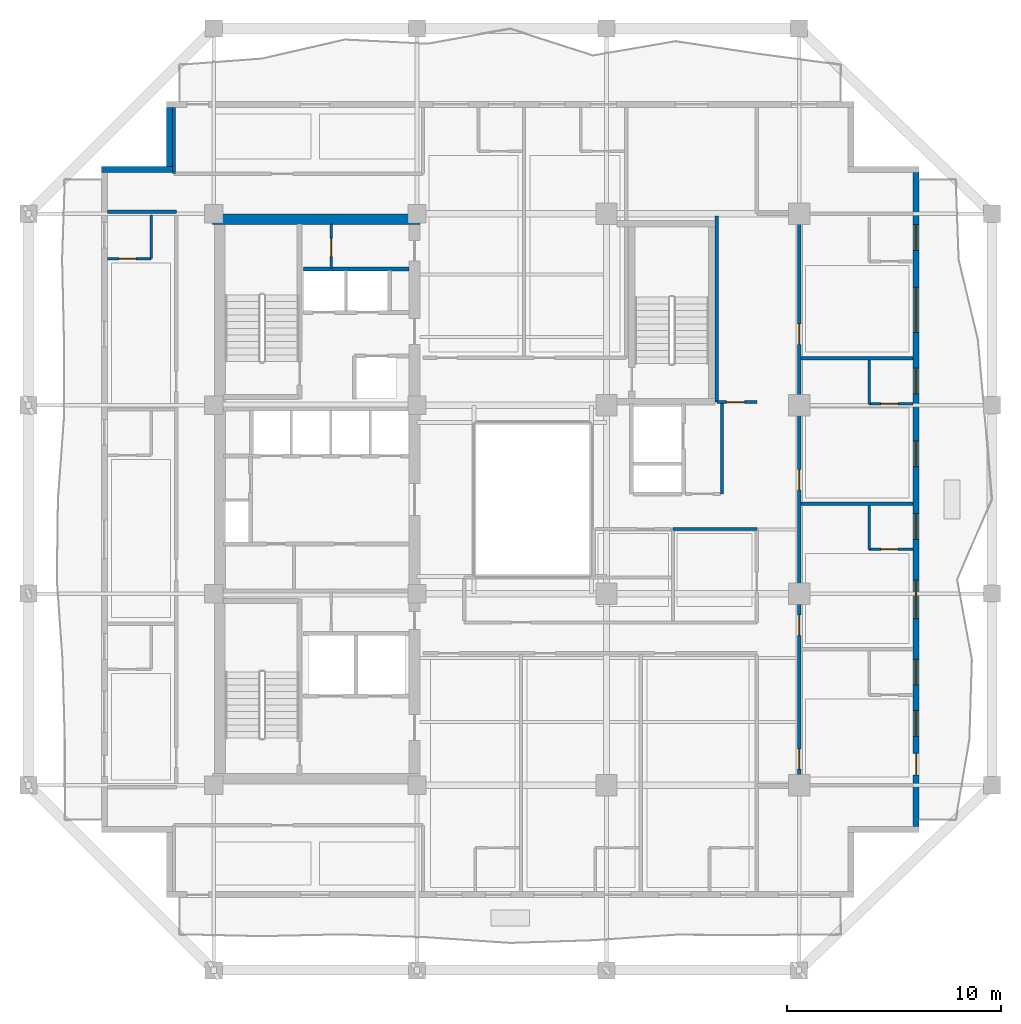
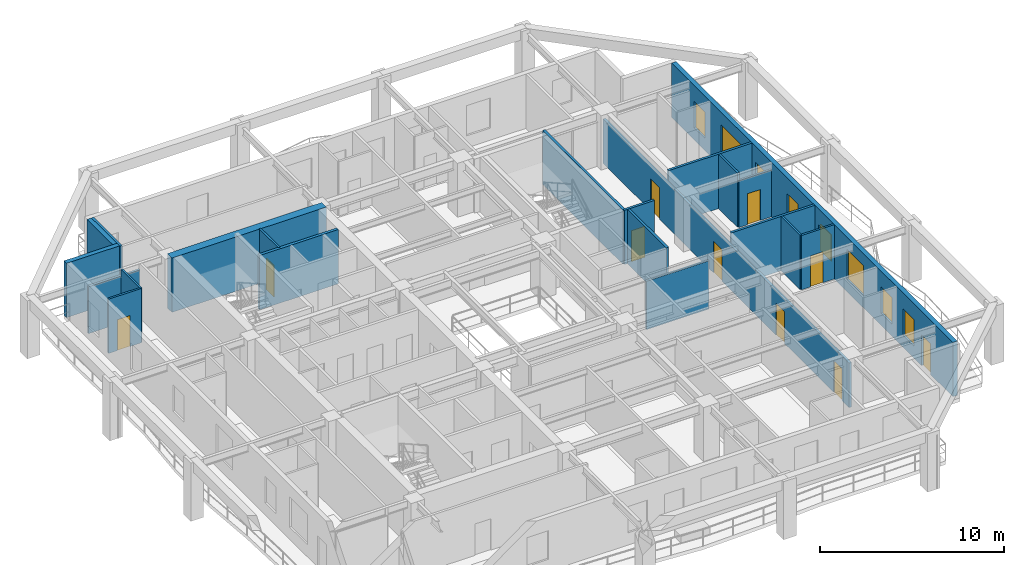
# One storey, part 6 of 12: 21 walls, 10 doors, 8 windows, 18 openings.
"""IFC4 building model written with IfcOpenShell, lengths in metres."""

from ifc_helpers import new_model, si_unit, direction, frame, frame_2d, origin, place, context, subcontext, project, spatial, rectangle, extrude, material, layer, layer_set, type_object, element, fill, save


model = new_model("IFC4")

# Units and contexts
model_context = context("Model", 3, precision=1e-05, world=origin(), true_north=direction((0.0, 1.0)))
body_context = subcontext(model_context, "Body", "Model", "MODEL_VIEW")
ifc_project = project(units=[si_unit("LENGTHUNIT", "METRE"), si_unit("AREAUNIT", "SQUARE_METRE"), si_unit("VOLUMEUNIT", "CUBIC_METRE"), si_unit("PLANEANGLEUNIT", "RADIAN"), si_unit("MASSUNIT", "GRAM", prefix="KILO")], contexts=[model_context])

# Site, building, storey
site_placement = place(None, origin())
site = spatial("IfcSite", under=ifc_project, at=site_placement, CompositionType="ELEMENT")
building_placement = place(site_placement, origin())
building = spatial("IfcBuilding", under=site, at=building_placement, Name="Kundavana Baori Tower", CompositionType="ELEMENT")
storey_placement = place(building_placement, frame((0.0, 0.0, 134.800048828125)))
storey = spatial("IfcBuildingStorey", under=building, at=storey_placement, Name="L32", CompositionType="ELEMENT", Elevation=134.800048828125)

# Wall
ifc_material_1 = material(Name="Concrete C50/60", Category="concrete")
ifc_layer_1 = layer(ifc_material_1, 0.5, Name="WL-CORE-500")
ifc_layer_set_1 = layer_set([ifc_layer_1], Name="Concrete C50/60")
wall_type_1 = type_object("IfcWallType", Name="WL-CORE-500", PredefinedType="SHEAR", material=ifc_layer_set_1)
wall_1_placement = place(storey_placement, frame((15.39990234375, 41.68994140625, 0.0), z_axis=(0.0, 0.0, 1.0), x_axis=(1.0, 0.0, 0.0)))
element("IfcWall", 1, at=wall_1_placement, inside=storey, type_object=wall_type_1, Name="L32 Offset Core North Shear Wall", PredefinedType="SHEAR", context=body_context, shape_type="SweptSolid", body=[
    extrude(rectangle(XDim=9.68017578125, YDim=0.5, at=frame_2d((4.840087890625, 0.0))), origin(), (0.0, 0.0, 1.0), 3.599853515625),
])

# Wall, openings, door, windows
ifc_material_2 = material(Name="Red-Buff Dholpur Sandstone Cladding on Concrete C40/50", Category="masonry")
ifc_layer_2 = layer(ifc_material_2, 0.280029296875, Name="WL-EXT-SAND-280")
ifc_layer_set_2 = layer_set([ifc_layer_2], Name="Red-Buff Dholpur Sandstone Cladding on Concrete C40/50")
wall_type_2 = type_object("IfcWallType", Name="WL-EXT-SAND-280", PredefinedType="STANDARD", material=ifc_layer_set_2)
wall_2_placement = place(storey_placement, frame((48.260009765625, 13.330078125, 0.0), z_axis=(0.0, 0.0, 1.0), x_axis=(0.0, 1.0, 0.0)))
wall_2 = element("IfcWall", 2, at=wall_2_placement, inside=storey, type_object=wall_type_2, Name="L32 Exterior Insulated Facade Wall 04", PredefinedType="STANDARD", context=body_context, shape_type="SweptSolid", body=[
    extrude(rectangle(XDim=30.5400390625, YDim=0.280029296875, at=frame_2d((15.27001953125, 0.0))), origin(), (0.0, 0.0, 1.0), 3.599853515625),
])
opening_1_placement = place(wall_2_placement, frame((2.409912109375, 0.0, 0.0)))
opening_1 = element("IfcOpeningElement", 3, at=opening_1_placement, cuts=wall_2, Name="Opening BD-1", PredefinedType="OPENING", context=body_context, shape_type="SweptSolid", body=[
    extrude(rectangle(XDim=1.0, YDim=2.050048828125, at=frame_2d((0.5, 1.02490234375))), frame((0.0, 0.14990234375, 0.0), z_axis=(0.0, -1.0, 0.0), x_axis=(1.0, 0.0, 0.0)), (0.0, 0.0, 1.0), 0.300048828125),
])
opening_2_placement = place(wall_2_placement, frame((4.205078125, 0.0, 0.800048828125)))
opening_2 = element("IfcOpeningElement", 4, at=opening_2_placement, cuts=wall_2, Name="Opening W-03", PredefinedType="OPENING", context=body_context, shape_type="SweptSolid", body=[
    extrude(rectangle(XDim=1.199951171875, YDim=1.75, at=frame_2d((0.60009765625, 0.875))), frame((0.0, 0.14990234375, 0.0), z_axis=(0.0, -1.0, 0.0), x_axis=(1.0, 0.0, 0.0)), (0.0, 0.0, 1.0), 0.300048828125),
])
opening_3_placement = place(wall_2_placement, frame((6.60498046875, 0.0, 0.800048828125)))
opening_3 = element("IfcOpeningElement", 5, at=opening_3_placement, cuts=wall_2, Name="Opening W-03", PredefinedType="OPENING", context=body_context, shape_type="SweptSolid", body=[
    extrude(rectangle(XDim=1.199951171875, YDim=1.75, at=frame_2d((0.60009765625, 0.875))), frame((0.0, 0.14990234375, 0.0), z_axis=(0.0, -1.0, 0.0), x_axis=(1.0, 0.0, 0.0)), (0.0, 0.0, 1.0), 0.300048828125),
])
opening_4_placement = place(wall_2_placement, frame((9.705078125, 0.0, 0.800048828125)))
opening_4 = element("IfcOpeningElement", 6, at=opening_4_placement, cuts=wall_2, Name="Opening W-01", PredefinedType="OPENING", context=body_context, shape_type="SweptSolid", body=[
    extrude(rectangle(XDim=1.800048828125, YDim=2.0, at=frame_2d((0.89990234375, 1.0))), frame((0.0, 0.14990234375, 0.0), z_axis=(0.0, -1.0, 0.0), x_axis=(1.0, 0.0, 0.0)), (0.0, 0.0, 1.0), 0.300048828125),
])
opening_5_placement = place(wall_2_placement, frame((13.405029296875, 0.0, 0.800048828125)))
opening_5 = element("IfcOpeningElement", 7, at=opening_5_placement, cuts=wall_2, Name="Opening W-03", PredefinedType="OPENING", context=body_context, shape_type="SweptSolid", body=[
    extrude(rectangle(XDim=1.199951171875, YDim=1.75, at=frame_2d((0.60009765625, 0.875))), frame((0.0, 0.14990234375, 0.0), z_axis=(0.0, -1.0, 0.0), x_axis=(1.0, 0.0, 0.0)), (0.0, 0.0, 1.0), 0.300048828125),
])
opening_6_placement = place(wall_2_placement, frame((16.804931640625, 0.0, 0.800048828125)))
opening_6 = element("IfcOpeningElement", 8, at=opening_6_placement, cuts=wall_2, Name="Opening W-03", PredefinedType="OPENING", context=body_context, shape_type="SweptSolid", body=[
    extrude(rectangle(XDim=1.199951171875, YDim=1.75, at=frame_2d((0.60009765625, 0.875))), frame((0.0, 0.14990234375, 0.0), z_axis=(0.0, -1.0, 0.0), x_axis=(1.0, 0.0, 0.0)), (0.0, 0.0, 1.0), 0.300048828125),
])
opening_7_placement = place(wall_2_placement, frame((20.205078125, 0.0, 0.800048828125)))
opening_7 = element("IfcOpeningElement", 9, at=opening_7_placement, cuts=wall_2, Name="Opening W-03", PredefinedType="OPENING", context=body_context, shape_type="SweptSolid", body=[
    extrude(rectangle(XDim=1.199951171875, YDim=1.75, at=frame_2d((0.60009765625, 0.875))), frame((0.0, 0.14990234375, 0.0), z_axis=(0.0, -1.0, 0.0), x_axis=(1.0, 0.0, 0.0)), (0.0, 0.0, 1.0), 0.300048828125),
])
opening_8_placement = place(wall_2_placement, frame((23.080078125, 0.0, 0.800048828125)))
opening_8 = element("IfcOpeningElement", 10, at=opening_8_placement, cuts=wall_2, Name="Opening W-05", PredefinedType="OPENING", context=body_context, shape_type="SweptSolid", body=[
    extrude(rectangle(XDim=2.10009765625, YDim=1.949951171875, at=frame_2d((1.050048828125, 0.97509765625))), frame((0.0, 0.14990234375, 0.0), z_axis=(0.0, -1.0, 0.0), x_axis=(1.0, 0.0, 0.0)), (0.0, 0.0, 1.0), 0.300048828125),
])
opening_9_placement = place(wall_2_placement, frame((26.905029296875, 0.0, 0.800048828125)))
opening_9 = element("IfcOpeningElement", 11, at=opening_9_placement, cuts=wall_2, Name="Opening W-03", PredefinedType="OPENING", context=body_context, shape_type="SweptSolid", body=[
    extrude(rectangle(XDim=1.199951171875, YDim=1.75, at=frame_2d((0.60009765625, 0.875))), frame((0.0, 0.14990234375, 0.0), z_axis=(0.0, -1.0, 0.0), x_axis=(1.0, 0.0, 0.0)), (0.0, 0.0, 1.0), 0.300048828125),
])
ifc_material_3 = material(Name="Architectural Patinated Bronze Metalwork")
door_type_1 = type_object("IfcDoorType", Name="DR-EXT-LOG-1000", OperationType="NOTDEFINED", PredefinedType="DOOR", material=ifc_material_3)
door_1_placement = place(opening_1_placement, frame((1.0, 0.0, 0.0), z_axis=(0.0, 0.0, 1.0), x_axis=(-1.0, 0.0, 0.0)))
door_1 = element("IfcDoor", 12, at=door_1_placement, inside=storey, type_object=door_type_1, Name="L32 Loggia Balcony Access Door E", OperationType="SINGLE_SWING_RIGHT", OverallHeight=2.050048828125, OverallWidth=1.0, PredefinedType="DOOR", context=body_context, shape_type="SweptSolid", body=[
    extrude(rectangle(XDim=1.0, YDim=2.050048828125, at=frame_2d((0.5, 1.02490234375))), frame((0.0, 0.02490234375, 0.0), z_axis=(0.0, -1.0, 0.0), x_axis=(1.0, 0.0, 0.0)), (0.0, 0.0, 1.0), 0.050048828125),
])
fill(opening_1, door_1)
ifc_material_4 = material(Name="Double-Glazed Solar-Control Low-E Insulated Glass", Category="glass")
window_type_1 = type_object("IfcWindowType", Name="WIN-LOG-1200x1750", PartitioningType="SINGLE_PANEL", PredefinedType="WINDOW", material=ifc_material_4)
window_1_placement = place(opening_2_placement, origin())
window_1 = element("IfcWindow", 13, at=window_1_placement, inside=storey, type_object=window_type_1, Name="L32 Recessed Loggia Window E-1", OverallHeight=1.75, OverallWidth=1.199951171875, PartitioningType="SINGLE_PANEL", PredefinedType="WINDOW", context=body_context, shape_type="SweptSolid", body=[
    extrude(rectangle(XDim=1.199951171875, YDim=1.75, at=frame_2d((0.60009765625, 0.875))), frame((0.0, 0.030029296875, 0.0), z_axis=(0.0, -1.0, 0.0), x_axis=(1.0, 0.0, 0.0)), (0.0, 0.0, 1.0), 0.06005859375),
])
fill(opening_2, window_1)
window_2_placement = place(opening_3_placement, origin())
window_2 = element("IfcWindow", 14, at=window_2_placement, inside=storey, type_object=window_type_1, Name="L32 Recessed Loggia Window E-2", OverallHeight=1.75, OverallWidth=1.199951171875, PartitioningType="SINGLE_PANEL", PredefinedType="WINDOW", context=body_context, shape_type="SweptSolid", body=[
    extrude(rectangle(XDim=1.199951171875, YDim=1.75, at=frame_2d((0.60009765625, 0.875))), frame((0.0, 0.030029296875, 0.0), z_axis=(0.0, -1.0, 0.0), x_axis=(1.0, 0.0, 0.0)), (0.0, 0.0, 1.0), 0.06005859375),
])
fill(opening_3, window_2)
window_3_placement = place(opening_5_placement, origin())
window_3 = element("IfcWindow", 15, at=window_3_placement, inside=storey, type_object=window_type_1, Name="L32 Recessed Loggia Window E-4", OverallHeight=1.75, OverallWidth=1.199951171875, PartitioningType="SINGLE_PANEL", PredefinedType="WINDOW", context=body_context, shape_type="SweptSolid", body=[
    extrude(rectangle(XDim=1.199951171875, YDim=1.75, at=frame_2d((0.60009765625, 0.875))), frame((0.0, 0.030029296875, 0.0), z_axis=(0.0, -1.0, 0.0), x_axis=(1.0, 0.0, 0.0)), (0.0, 0.0, 1.0), 0.06005859375),
])
fill(opening_5, window_3)
window_4_placement = place(opening_6_placement, origin())
window_4 = element("IfcWindow", 16, at=window_4_placement, inside=storey, type_object=window_type_1, Name="L32 Recessed Loggia Window E-5", OverallHeight=1.75, OverallWidth=1.199951171875, PartitioningType="SINGLE_PANEL", PredefinedType="WINDOW", context=body_context, shape_type="SweptSolid", body=[
    extrude(rectangle(XDim=1.199951171875, YDim=1.75, at=frame_2d((0.60009765625, 0.875))), frame((0.0, 0.030029296875, 0.0), z_axis=(0.0, -1.0, 0.0), x_axis=(1.0, 0.0, 0.0)), (0.0, 0.0, 1.0), 0.06005859375),
])
fill(opening_6, window_4)
window_5_placement = place(opening_7_placement, origin())
window_5 = element("IfcWindow", 17, at=window_5_placement, inside=storey, type_object=window_type_1, Name="L32 Recessed Loggia Window E-6", OverallHeight=1.75, OverallWidth=1.199951171875, PartitioningType="SINGLE_PANEL", PredefinedType="WINDOW", context=body_context, shape_type="SweptSolid", body=[
    extrude(rectangle(XDim=1.199951171875, YDim=1.75, at=frame_2d((0.60009765625, 0.875))), frame((0.0, 0.030029296875, 0.0), z_axis=(0.0, -1.0, 0.0), x_axis=(1.0, 0.0, 0.0)), (0.0, 0.0, 1.0), 0.06005859375),
])
fill(opening_7, window_5)
window_6_placement = place(opening_9_placement, origin())
window_6 = element("IfcWindow", 18, at=window_6_placement, inside=storey, type_object=window_type_1, Name="L32 Recessed Loggia Window E-8", OverallHeight=1.75, OverallWidth=1.199951171875, PartitioningType="SINGLE_PANEL", PredefinedType="WINDOW", context=body_context, shape_type="SweptSolid", body=[
    extrude(rectangle(XDim=1.199951171875, YDim=1.75, at=frame_2d((0.60009765625, 0.875))), frame((0.0, 0.030029296875, 0.0), z_axis=(0.0, -1.0, 0.0), x_axis=(1.0, 0.0, 0.0)), (0.0, 0.0, 1.0), 0.06005859375),
])
fill(opening_9, window_6)
ifc_material_5 = material(Name="Double-Glazed Solar-Control Low-E Insulated Glass", Category="glass")
window_type_2 = type_object("IfcWindowType", Name="WIN-LOG-1800x2000", PartitioningType="SINGLE_PANEL", PredefinedType="WINDOW", material=ifc_material_5)
window_7_placement = place(opening_4_placement, origin())
window_7 = element("IfcWindow", 19, at=window_7_placement, inside=storey, type_object=window_type_2, Name="L32 Recessed Loggia Window E-3", OverallHeight=2.0, OverallWidth=1.800048828125, PartitioningType="SINGLE_PANEL", PredefinedType="WINDOW", context=body_context, shape_type="SweptSolid", body=[
    extrude(rectangle(XDim=1.800048828125, YDim=2.0, at=frame_2d((0.89990234375, 1.0))), frame((0.0, 0.030029296875, 0.0), z_axis=(0.0, -1.0, 0.0), x_axis=(1.0, 0.0, 0.0)), (0.0, 0.0, 1.0), 0.06005859375),
])
fill(opening_4, window_7)
ifc_material_6 = material(Name="Double-Glazed Solar-Control Low-E Insulated Glass", Category="glass")
window_type_3 = type_object("IfcWindowType", Name="WIN-LOG-2100x1950", PartitioningType="SINGLE_PANEL", PredefinedType="WINDOW", material=ifc_material_6)
window_8_placement = place(opening_8_placement, origin())
window_8 = element("IfcWindow", 20, at=window_8_placement, inside=storey, type_object=window_type_3, Name="L32 Recessed Loggia Window E-7", OverallHeight=1.949951171875, OverallWidth=2.10009765625, PartitioningType="SINGLE_PANEL", PredefinedType="WINDOW", context=body_context, shape_type="SweptSolid", body=[
    extrude(rectangle(XDim=2.10009765625, YDim=1.949951171875, at=frame_2d((1.050048828125, 0.97509765625))), frame((0.0, 0.030029296875, 0.0), z_axis=(0.0, -1.0, 0.0), x_axis=(1.0, 0.0, 0.0)), (0.0, 0.0, 1.0), 0.06005859375),
])
fill(opening_8, window_8)

# Walls
wall_3_placement = place(storey_placement, frame((13.389892578125, 46.919921875, 0.0), z_axis=(0.0, 0.0, 1.0), x_axis=(0.0, -1.0, 0.0)))
element("IfcWall", 21, at=wall_3_placement, inside=storey, type_object=wall_type_2, Name="L32 Exterior Insulated Facade Wall 08", PredefinedType="STANDARD", context=body_context, shape_type="SweptSolid", body=[
    extrude(rectangle(XDim=2.77001953125, YDim=0.280029296875, at=frame_2d((1.385009765625, 0.0))), origin(), (0.0, 0.0, 1.0), 3.599853515625),
])
wall_4_placement = place(storey_placement, frame((13.530029296875, 44.010009765625, 0.0), z_axis=(0.0, 0.0, 1.0), x_axis=(-1.0, 0.0, 0.0)))
element("IfcWall", 22, at=wall_4_placement, inside=storey, type_object=wall_type_2, Name="L32 Exterior Insulated Facade Wall 09", PredefinedType="STANDARD", context=body_context, shape_type="SweptSolid", body=[
    extrude(rectangle(XDim=3.330078125, YDim=0.280029296875, at=frame_2d((1.6650390625, 0.0))), origin(), (0.0, 0.0, 1.0), 3.599853515625),
])

# Wall, opening, door
ifc_material_7 = material(Name="Acoustic Gypsum Plasterboard on Galvanised Steel Studs", Category="steel")
ifc_layer_3 = layer(ifc_material_7, 0.1201171875, Name="WL-PART-120")
ifc_layer_set_3 = layer_set([ifc_layer_3], Name="Acoustic Gypsum Plasterboard on Galvanised Steel Studs")
wall_type_3 = type_object("IfcWallType", Name="WL-PART-120", PredefinedType="PARTITIONING", material=ifc_layer_set_3)
wall_5_placement = place(storey_placement, frame((20.949951171875, 39.39990234375, 0.0), z_axis=(0.0, 0.0, 1.0), x_axis=(0.0, 1.0, 0.0)))
wall_5 = element("IfcWall", 23, at=wall_5_placement, inside=storey, type_object=wall_type_3, Name="WL-L32-CSRV-D2", PredefinedType="PARTITIONING", context=body_context, shape_type="SweptSolid", body=[
    extrude(rectangle(XDim=2.080078125, YDim=0.1201171875, at=frame_2d((1.0400390625, 0.0))), origin(), (0.0, 0.0, 1.0), 3.599853515625),
])
opening_10_placement = place(wall_5_placement, frame((0.550048828125, 0.0, 0.0)))
opening_10 = element("IfcOpeningElement", 24, at=opening_10_placement, cuts=wall_5, Name="Opening FD-085", PredefinedType="OPENING", context=body_context, shape_type="SweptSolid", body=[
    extrude(rectangle(XDim=0.85009765625, YDim=2.06005859375, at=frame_2d((0.425048828125, 1.030029296875))), frame((0.0, 0.070068359375, 0.0), z_axis=(0.0, -1.0, 0.0), x_axis=(1.0, 0.0, 0.0)), (0.0, 0.0, 1.0), 0.14013671875),
])
ifc_material_8 = material(Name="Galvanised Steel Fire-Rated Door Leaf", Category="steel")
door_type_2 = type_object("IfcDoorType", Name="DR-FD60-850", OperationType="NOTDEFINED", PredefinedType="DOOR", material=ifc_material_8)
door_2_placement = place(opening_10_placement, origin())
door_2 = element("IfcDoor", 25, at=door_2_placement, inside=storey, type_object=door_type_2, Name="DR-L32-CSRV1", OperationType="SINGLE_SWING_RIGHT", OverallHeight=2.06005859375, OverallWidth=0.85009765625, PredefinedType="DOOR", context=body_context, shape_type="SweptSolid", body=[
    extrude(rectangle(XDim=0.85009765625, YDim=2.06005859375, at=frame_2d((0.425048828125, 1.030029296875))), frame((0.0, 0.02490234375, 0.0), z_axis=(0.0, -1.0, 0.0), x_axis=(1.0, 0.0, 0.0)), (0.0, 0.0, 1.0), 0.050048828125),
])
fill(opening_10, door_2)

# Wall
ifc_material_9 = material(Name="Fire-Rated Gypsum Drywall on Galvanised Steel Studs", Category="steel")
ifc_layer_4 = layer(ifc_material_9, 0.14990234375, Name="WL-PART-150")
ifc_layer_set_4 = layer_set([ifc_layer_4], Name="Fire-Rated Gypsum Drywall on Galvanised Steel Studs")
wall_type_4 = type_object("IfcWallType", Name="WL-PART-150", PredefinedType="PARTITIONING", material=ifc_layer_set_4)
wall_6_placement = place(storey_placement, frame((39.199951171875, 28.860107421875, 0.0), z_axis=(0.0, 0.0, 1.0), x_axis=(0.0, 1.0, 0.0)))
element("IfcWall", 26, at=wall_6_placement, inside=storey, type_object=wall_type_4, Name="WL-L32-SVLOB-E", PredefinedType="PARTITIONING", context=body_context, shape_type="SweptSolid", body=[
    extrude(rectangle(XDim=4.219970703125, YDim=0.14990234375, at=frame_2d((2.10986328125, 0.0))), origin(), (0.0, 0.0, 1.0), 3.599853515625),
])

# Wall, openings, doors
wall_7_placement = place(storey_placement, frame((42.800048828125, 15.25, 0.0), z_axis=(0.0, 0.0, 1.0), x_axis=(0.0, 1.0, 0.0)))
wall_7 = element("IfcWall", 27, at=wall_7_placement, inside=storey, type_object=wall_type_4, Name="WL-L32-HE", PredefinedType="PARTITIONING", context=body_context, shape_type="SweptSolid", body=[
    extrude(rectangle(XDim=26.699951171875, YDim=0.14990234375, at=frame_2d((13.35009765625, 0.0))), origin(), (0.0, 0.0, 1.0), 2.949951171875),
])
opening_11_placement = place(wall_7_placement, frame((0.75, 0.0, 0.0)))
opening_11 = element("IfcOpeningElement", 28, at=opening_11_placement, cuts=wall_7, Name="Opening FD-095", PredefinedType="OPENING", context=body_context, shape_type="SweptSolid", body=[
    extrude(rectangle(XDim=0.949951171875, YDim=2.10009765625, at=frame_2d((0.47509765625, 1.050048828125))), frame((0.0, 0.0849609375, 0.0), z_axis=(0.0, -1.0, 0.0), x_axis=(1.0, 0.0, 0.0)), (0.0, 0.0, 1.0), 0.169921875),
])
opening_12_placement = place(wall_7_placement, frame((7.0, 0.0, 0.0)))
opening_12 = element("IfcOpeningElement", 29, at=opening_12_placement, cuts=wall_7, Name="Opening FD-095", PredefinedType="OPENING", context=body_context, shape_type="SweptSolid", body=[
    extrude(rectangle(XDim=0.949951171875, YDim=2.10009765625, at=frame_2d((0.47509765625, 1.050048828125))), frame((0.0, 0.0849609375, 0.0), z_axis=(0.0, -1.0, 0.0), x_axis=(1.0, 0.0, 0.0)), (0.0, 0.0, 1.0), 0.169921875),
])
opening_13_placement = place(wall_7_placement, frame((13.800048828125, 0.0, 0.0)))
opening_13 = element("IfcOpeningElement", 30, at=opening_13_placement, cuts=wall_7, Name="Opening FD-095", PredefinedType="OPENING", context=body_context, shape_type="SweptSolid", body=[
    extrude(rectangle(XDim=0.949951171875, YDim=2.10009765625, at=frame_2d((0.47509765625, 1.050048828125))), frame((0.0, 0.0849609375, 0.0), z_axis=(0.0, -1.0, 0.0), x_axis=(1.0, 0.0, 0.0)), (0.0, 0.0, 1.0), 0.169921875),
])
opening_14_placement = place(wall_7_placement, frame((20.60009765625, 0.0, 0.0)))
opening_14 = element("IfcOpeningElement", 31, at=opening_14_placement, cuts=wall_7, Name="Opening FD-095", PredefinedType="OPENING", context=body_context, shape_type="SweptSolid", body=[
    extrude(rectangle(XDim=0.949951171875, YDim=2.10009765625, at=frame_2d((0.47509765625, 1.050048828125))), frame((0.0, 0.0849609375, 0.0), z_axis=(0.0, -1.0, 0.0), x_axis=(1.0, 0.0, 0.0)), (0.0, 0.0, 1.0), 0.169921875),
])
ifc_material_10 = material(Name="Engineered Teak Fire-Rated Timber Door Leaf", Category="wood")
door_type_3 = type_object("IfcDoorType", Name="DR-FD60-950", OperationType="NOTDEFINED", PredefinedType="DOOR", material=ifc_material_10)
door_3_placement = place(opening_11_placement, origin())
door_3 = element("IfcDoor", 32, at=door_3_placement, inside=storey, type_object=door_type_3, Name="DR-L32-HK-E1-ENT", OperationType="SINGLE_SWING_LEFT", OverallHeight=2.10009765625, OverallWidth=0.949951171875, PredefinedType="DOOR", context=body_context, shape_type="SweptSolid", body=[
    extrude(rectangle(XDim=0.949951171875, YDim=2.10009765625, at=frame_2d((0.47509765625, 1.050048828125))), frame((0.0, 0.02490234375, 0.0), z_axis=(0.0, -1.0, 0.0), x_axis=(1.0, 0.0, 0.0)), (0.0, 0.0, 1.0), 0.050048828125),
])
fill(opening_11, door_3)
door_4_placement = place(opening_12_placement, origin())
door_4 = element("IfcDoor", 33, at=door_4_placement, inside=storey, type_object=door_type_3, Name="DR-L32-HK-E2-ENT", OperationType="SINGLE_SWING_LEFT", OverallHeight=2.10009765625, OverallWidth=0.949951171875, PredefinedType="DOOR", context=body_context, shape_type="SweptSolid", body=[
    extrude(rectangle(XDim=0.949951171875, YDim=2.10009765625, at=frame_2d((0.47509765625, 1.050048828125))), frame((0.0, 0.02490234375, 0.0), z_axis=(0.0, -1.0, 0.0), x_axis=(1.0, 0.0, 0.0)), (0.0, 0.0, 1.0), 0.050048828125),
])
fill(opening_12, door_4)
door_5_placement = place(opening_13_placement, origin())
door_5 = element("IfcDoor", 34, at=door_5_placement, inside=storey, type_object=door_type_3, Name="DR-L32-HK-E3-ENT", OperationType="SINGLE_SWING_LEFT", OverallHeight=2.10009765625, OverallWidth=0.949951171875, PredefinedType="DOOR", context=body_context, shape_type="SweptSolid", body=[
    extrude(rectangle(XDim=0.949951171875, YDim=2.10009765625, at=frame_2d((0.47509765625, 1.050048828125))), frame((0.0, 0.02490234375, 0.0), z_axis=(0.0, -1.0, 0.0), x_axis=(1.0, 0.0, 0.0)), (0.0, 0.0, 1.0), 0.050048828125),
])
fill(opening_13, door_5)
door_6_placement = place(opening_14_placement, origin())
door_6 = element("IfcDoor", 35, at=door_6_placement, inside=storey, type_object=door_type_3, Name="DR-L32-HK-E4-ENT", OperationType="SINGLE_SWING_LEFT", OverallHeight=2.10009765625, OverallWidth=0.949951171875, PredefinedType="DOOR", context=body_context, shape_type="SweptSolid", body=[
    extrude(rectangle(XDim=0.949951171875, YDim=2.10009765625, at=frame_2d((0.47509765625, 1.050048828125))), frame((0.0, 0.02490234375, 0.0), z_axis=(0.0, -1.0, 0.0), x_axis=(1.0, 0.0, 0.0)), (0.0, 0.0, 1.0), 0.050048828125),
])
fill(opening_14, door_6)

# Walls
wall_8_placement = place(storey_placement, frame((10.47998046875, 42.0400390625, 0.0), z_axis=(0.0, 0.0, 1.0), x_axis=(1.0, 0.0, 0.0)))
element("IfcWall", 36, at=wall_8_placement, inside=storey, type_object=wall_type_4, Name="WL-L32-HWN", PredefinedType="PARTITIONING", context=body_context, shape_type="SweptSolid", body=[
    extrude(rectangle(XDim=3.219970703125, YDim=0.14990234375, at=frame_2d((1.60986328125, 0.0))), origin(), (0.0, 0.0, 1.0), 3.099853515625),
])
wall_9_placement = place(storey_placement, frame((13.590087890625, 43.820068359375, 0.0), z_axis=(0.0, 0.0, 1.0), x_axis=(0.0, 1.0, 0.0)))
element("IfcWall", 37, at=wall_9_placement, inside=storey, type_object=wall_type_4, Name="WL-L32-HNCW", PredefinedType="PARTITIONING", context=body_context, shape_type="SweptSolid", body=[
    extrude(rectangle(XDim=3.099853515625, YDim=0.14990234375, at=frame_2d((1.5498046875, 0.0))), origin(), (0.0, 0.0, 1.0), 3.599853515625),
])
wall_10_placement = place(storey_placement, frame((36.89990234375, 27.219970703125, 0.0), z_axis=(0.0, 0.0, 1.0), x_axis=(1.0, 0.0, 0.0)))
element("IfcWall", 38, at=wall_10_placement, inside=storey, type_object=wall_type_4, Name="WL-L32-HKN", PredefinedType="PARTITIONING", context=body_context, shape_type="SweptSolid", body=[
    extrude(rectangle(XDim=3.920166015625, YDim=0.14990234375, at=frame_2d((1.9599609375, 0.0))), origin(), (0.0, 0.0, 1.0), 3.199951171875),
])
for number, where, z_axis, x_axis, name in (
    (39, (42.8798828125, 28.39990234375, 0.0), (0.0, 0.0, 1.0), (1.0, 0.0, 0.0), "WL-L32-HED2"),
    (40, (42.8798828125, 35.199951171875, 0.0), (0.0, 0.0, 1.0), (1.0, 0.0, 0.0), "WL-L32-HED3"),
):
    element("IfcWall", number, at=place(storey_placement, frame(where, z_axis=z_axis, x_axis=x_axis)), inside=storey, type_object=wall_type_4, Name=name, PredefinedType="PARTITIONING", context=body_context, shape_type="SweptSolid", body=[
        extrude(rectangle(XDim=5.240234375, YDim=0.14990234375, at=frame_2d((2.6201171875, 0.0))), origin(), (0.0, 0.0, 1.0), 3.599853515625),
    ])

# Wall, opening, door
wall_11_placement = place(storey_placement, frame((38.949951171875, 33.14990234375, 0.0), z_axis=(0.0, 0.0, 1.0), x_axis=(1.0, 0.0, 0.0)))
wall_11 = element("IfcWall", 41, at=wall_11_placement, inside=storey, type_object=wall_type_4, Name="WL-L32-HNES", PredefinedType="PARTITIONING", context=body_context, shape_type="SweptSolid", body=[
    extrude(rectangle(XDim=1.8701171875, YDim=0.14990234375, at=frame_2d((0.93505859375, 0.0))), origin(), (0.0, 0.0, 1.0), 3.599853515625),
])
opening_15_placement = place(wall_11_placement, frame((0.449951171875, 0.0, 0.0)))
opening_15 = element("IfcOpeningElement", 42, at=opening_15_placement, cuts=wall_11, Name="Opening WD-085", PredefinedType="OPENING", context=body_context, shape_type="SweptSolid", body=[
    extrude(rectangle(XDim=0.85009765625, YDim=2.050048828125, at=frame_2d((0.425048828125, 1.02490234375))), frame((0.0, 0.0849609375, 0.0), z_axis=(0.0, -1.0, 0.0), x_axis=(1.0, 0.0, 0.0)), (0.0, 0.0, 1.0), 0.169921875),
])
ifc_material_11 = material(Name="Engineered Teak Solid-Core Timber Veneer", Category="wood")
door_type_4 = type_object("IfcDoorType", Name="DR-WET-850", OperationType="NOTDEFINED", PredefinedType="DOOR", material=ifc_material_11)
door_7_placement = place(opening_15_placement, origin())
door_7 = element("IfcDoor", 43, at=door_7_placement, inside=storey, type_object=door_type_4, Name="DR-L32-HLNE", OperationType="SINGLE_SWING_LEFT", OverallHeight=2.050048828125, OverallWidth=0.85009765625, PredefinedType="DOOR", context=body_context, shape_type="SweptSolid", body=[
    extrude(rectangle(XDim=0.85009765625, YDim=2.050048828125, at=frame_2d((0.425048828125, 1.02490234375))), frame((0.0, 0.02490234375, 0.0), z_axis=(0.0, -1.0, 0.0), x_axis=(1.0, 0.0, 0.0)), (0.0, 0.0, 1.0), 0.050048828125),
])
fill(opening_15, door_7)

# Walls
wall_12_placement = place(storey_placement, frame((38.949951171875, 33.14990234375, 0.0), z_axis=(0.0, 0.0, 1.0), x_axis=(0.0, 1.0, 0.0)))
element("IfcWall", 44, at=wall_12_placement, inside=storey, type_object=wall_type_4, Name="WL-L32-HNEW", PredefinedType="PARTITIONING", context=body_context, shape_type="SweptSolid", body=[
    extrude(rectangle(XDim=8.7001953125, YDim=0.14990234375, at=frame_2d((4.35009765625, 0.0))), origin(), (0.0, 0.0, 1.0), 3.599853515625),
])
ifc_material_12 = material(Name="Autoclaved Aerated Concrete Blockwork Masonry", Category="masonry")
ifc_layer_5 = layer(ifc_material_12, 0.179931640625, Name="WL-SHAFT-180")
ifc_layer_set_5 = layer_set([ifc_layer_5], Name="Autoclaved Aerated Concrete Blockwork Masonry")
wall_type_5 = type_object("IfcWallType", Name="WL-SHAFT-180", PredefinedType="SOLIDWALL", material=ifc_layer_set_5)
wall_13_placement = place(storey_placement, frame((19.639892578125, 39.360107421875, 0.0), z_axis=(0.0, 0.0, 1.0), x_axis=(1.0, 0.0, 0.0)))
element("IfcWall", 45, at=wall_13_placement, inside=storey, type_object=wall_type_5, Name="WL-L32-HRLOB-TOP", PredefinedType="SOLIDWALL", context=body_context, shape_type="SweptSolid", body=[
    extrude(rectangle(XDim=4.940185546875, YDim=0.179931640625, at=frame_2d((2.47021484375, 0.0))), origin(), (0.0, 0.0, 1.0), 3.599853515625),
])
ifc_material_13 = material(Name="Autoclaved Aerated Concrete Blockwork Masonry", Category="masonry")
ifc_layer_6 = layer(ifc_material_13, 0.125, Name="WL-WET-120")
ifc_layer_set_6 = layer_set([ifc_layer_6], Name="Autoclaved Aerated Concrete Blockwork Masonry")
wall_type_6 = type_object("IfcWallType", Name="WL-WET-120", PredefinedType="PLUMBINGWALL", material=ifc_layer_set_6)
wall_14_placement = place(storey_placement, frame((12.530029296875, 39.85009765625, 0.0), z_axis=(0.0, 0.0, 1.0), x_axis=(0.0, 1.0, 0.0)))
element("IfcWall", 46, at=wall_14_placement, inside=storey, type_object=wall_type_6, Name="WL-L32-HK-W3-BE", PredefinedType="PLUMBINGWALL", context=body_context, shape_type="SweptSolid", body=[
    extrude(rectangle(XDim=2.0498046875, YDim=0.125, at=frame_2d((1.02490234375, 0.0))), origin(), (0.0, 0.0, 1.0), 3.599853515625),
])

# Wall, opening, door
wall_15_placement = place(storey_placement, frame((10.47998046875, 39.85009765625, 0.0), z_axis=(0.0, 0.0, 1.0), x_axis=(1.0, 0.0, 0.0)))
wall_15 = element("IfcWall", 47, at=wall_15_placement, inside=storey, type_object=wall_type_6, Name="WL-L32-HK-W3-BS", PredefinedType="PLUMBINGWALL", context=body_context, shape_type="SweptSolid", body=[
    extrude(rectangle(XDim=2.050048828125, YDim=0.125, at=frame_2d((1.02490234375, 0.0))), origin(), (0.0, 0.0, 1.0), 3.599853515625),
])
opening_16_placement = place(wall_15_placement, frame((0.550048828125, 0.0, 0.0)))
opening_16 = element("IfcOpeningElement", 48, at=opening_16_placement, cuts=wall_15, Name="Opening WD-080", PredefinedType="OPENING", context=body_context, shape_type="SweptSolid", body=[
    extrude(rectangle(XDim=0.800048828125, YDim=2.050048828125, at=frame_2d((0.39990234375, 1.02490234375))), frame((0.0, 0.072509765625, 0.0), z_axis=(0.0, -1.0, 0.0), x_axis=(1.0, 0.0, 0.0)), (0.0, 0.0, 1.0), 0.14501953125),
])
ifc_material_14 = material(Name="Engineered Teak Solid-Core Timber Veneer", Category="wood")
door_type_5 = type_object("IfcDoorType", Name="DR-WET-800", OperationType="NOTDEFINED", PredefinedType="DOOR", material=ifc_material_14)
door_8_placement = place(opening_16_placement, frame((0.800048828125, 0.0, 0.0), z_axis=(0.0, 0.0, 1.0), x_axis=(-1.0, 0.0, 0.0)))
door_8 = element("IfcDoor", 49, at=door_8_placement, inside=storey, type_object=door_type_5, Name="DR-L32-HK-W3-ENS", OperationType="SINGLE_SWING_LEFT", OverallHeight=2.050048828125, OverallWidth=0.800048828125, PredefinedType="DOOR", context=body_context, shape_type="SweptSolid", body=[
    extrude(rectangle(XDim=0.800048828125, YDim=2.050048828125, at=frame_2d((0.39990234375, 1.02490234375))), frame((0.0, 0.02490234375, 0.0), z_axis=(0.0, -1.0, 0.0), x_axis=(1.0, 0.0, 0.0)), (0.0, 0.0, 1.0), 0.050048828125),
])
fill(opening_16, door_8)

# Wall
wall_16_placement = place(storey_placement, frame((46.070068359375, 26.27001953125, 0.0), z_axis=(0.0, 0.0, 1.0), x_axis=(0.0, 1.0, 0.0)))
element("IfcWall", 50, at=wall_16_placement, inside=storey, type_object=wall_type_6, Name="WL-L32-HK-E2-BW", PredefinedType="PLUMBINGWALL", context=body_context, shape_type="SweptSolid", body=[
    extrude(rectangle(XDim=2.050048828125, YDim=0.125, at=frame_2d((1.02490234375, 0.0))), origin(), (0.0, 0.0, 1.0), 3.599853515625),
])

# Wall, opening, door
wall_17_placement = place(storey_placement, frame((46.070068359375, 26.27001953125, 0.0), z_axis=(0.0, 0.0, 1.0), x_axis=(1.0, 0.0, 0.0)))
wall_17 = element("IfcWall", 51, at=wall_17_placement, inside=storey, type_object=wall_type_6, Name="WL-L32-HK-E2-BS", PredefinedType="PLUMBINGWALL", context=body_context, shape_type="SweptSolid", body=[
    extrude(rectangle(XDim=2.050048828125, YDim=0.125, at=frame_2d((1.02490234375, 0.0))), origin(), (0.0, 0.0, 1.0), 3.599853515625),
])
opening_17_placement = place(wall_17_placement, frame((0.550048828125, 0.0, 0.0)))
opening_17 = element("IfcOpeningElement", 52, at=opening_17_placement, cuts=wall_17, Name="Opening WD-080", PredefinedType="OPENING", context=body_context, shape_type="SweptSolid", body=[
    extrude(rectangle(XDim=0.800048828125, YDim=2.050048828125, at=frame_2d((0.39990234375, 1.02490234375))), frame((0.0, 0.072509765625, 0.0), z_axis=(0.0, -1.0, 0.0), x_axis=(1.0, 0.0, 0.0)), (0.0, 0.0, 1.0), 0.14501953125),
])
door_9_placement = place(opening_17_placement, frame((0.800048828125, 0.0, 0.0), z_axis=(0.0, 0.0, 1.0), x_axis=(-1.0, 0.0, 0.0)))
door_9 = element("IfcDoor", 53, at=door_9_placement, inside=storey, type_object=door_type_5, Name="DR-L32-HK-E2-ENS", OperationType="SINGLE_SWING_LEFT", OverallHeight=2.050048828125, OverallWidth=0.800048828125, PredefinedType="DOOR", context=body_context, shape_type="SweptSolid", body=[
    extrude(rectangle(XDim=0.800048828125, YDim=2.050048828125, at=frame_2d((0.39990234375, 1.02490234375))), frame((0.0, 0.02490234375, 0.0), z_axis=(0.0, -1.0, 0.0), x_axis=(1.0, 0.0, 0.0)), (0.0, 0.0, 1.0), 0.050048828125),
])
fill(opening_17, door_9)

# Wall
wall_18_placement = place(storey_placement, frame((46.070068359375, 33.070068359375, 0.0), z_axis=(0.0, 0.0, 1.0), x_axis=(0.0, 1.0, 0.0)))
element("IfcWall", 54, at=wall_18_placement, inside=storey, type_object=wall_type_6, Name="WL-L32-HK-E3-BW", PredefinedType="PLUMBINGWALL", context=body_context, shape_type="SweptSolid", body=[
    extrude(rectangle(XDim=2.050048828125, YDim=0.125, at=frame_2d((1.02490234375, 0.0))), origin(), (0.0, 0.0, 1.0), 3.599853515625),
])

# Wall, opening, door
wall_19_placement = place(storey_placement, frame((46.070068359375, 33.070068359375, 0.0), z_axis=(0.0, 0.0, 1.0), x_axis=(1.0, 0.0, 0.0)))
wall_19 = element("IfcWall", 55, at=wall_19_placement, inside=storey, type_object=wall_type_6, Name="WL-L32-HK-E3-BS", PredefinedType="PLUMBINGWALL", context=body_context, shape_type="SweptSolid", body=[
    extrude(rectangle(XDim=2.050048828125, YDim=0.125, at=frame_2d((1.02490234375, 0.0))), origin(), (0.0, 0.0, 1.0), 3.099853515625),
])
opening_18_placement = place(wall_19_placement, frame((0.550048828125, 0.0, 0.0)))
opening_18 = element("IfcOpeningElement", 56, at=opening_18_placement, cuts=wall_19, Name="Opening WD-080", PredefinedType="OPENING", context=body_context, shape_type="SweptSolid", body=[
    extrude(rectangle(XDim=0.800048828125, YDim=2.050048828125, at=frame_2d((0.39990234375, 1.02490234375))), frame((0.0, 0.072509765625, 0.0), z_axis=(0.0, -1.0, 0.0), x_axis=(1.0, 0.0, 0.0)), (0.0, 0.0, 1.0), 0.14501953125),
])
door_10_placement = place(opening_18_placement, frame((0.800048828125, 0.0, 0.0), z_axis=(0.0, 0.0, 1.0), x_axis=(-1.0, 0.0, 0.0)))
door_10 = element("IfcDoor", 57, at=door_10_placement, inside=storey, type_object=door_type_5, Name="DR-L32-HK-E3-ENS", OperationType="SINGLE_SWING_LEFT", OverallHeight=2.050048828125, OverallWidth=0.800048828125, PredefinedType="DOOR", context=body_context, shape_type="SweptSolid", body=[
    extrude(rectangle(XDim=0.800048828125, YDim=2.050048828125, at=frame_2d((0.39990234375, 1.02490234375))), frame((0.0, 0.02490234375, 0.0), z_axis=(0.0, -1.0, 0.0), x_axis=(1.0, 0.0, 0.0)), (0.0, 0.0, 1.0), 0.050048828125),
])
fill(opening_18, door_10)

save(model, "model.ifc")
